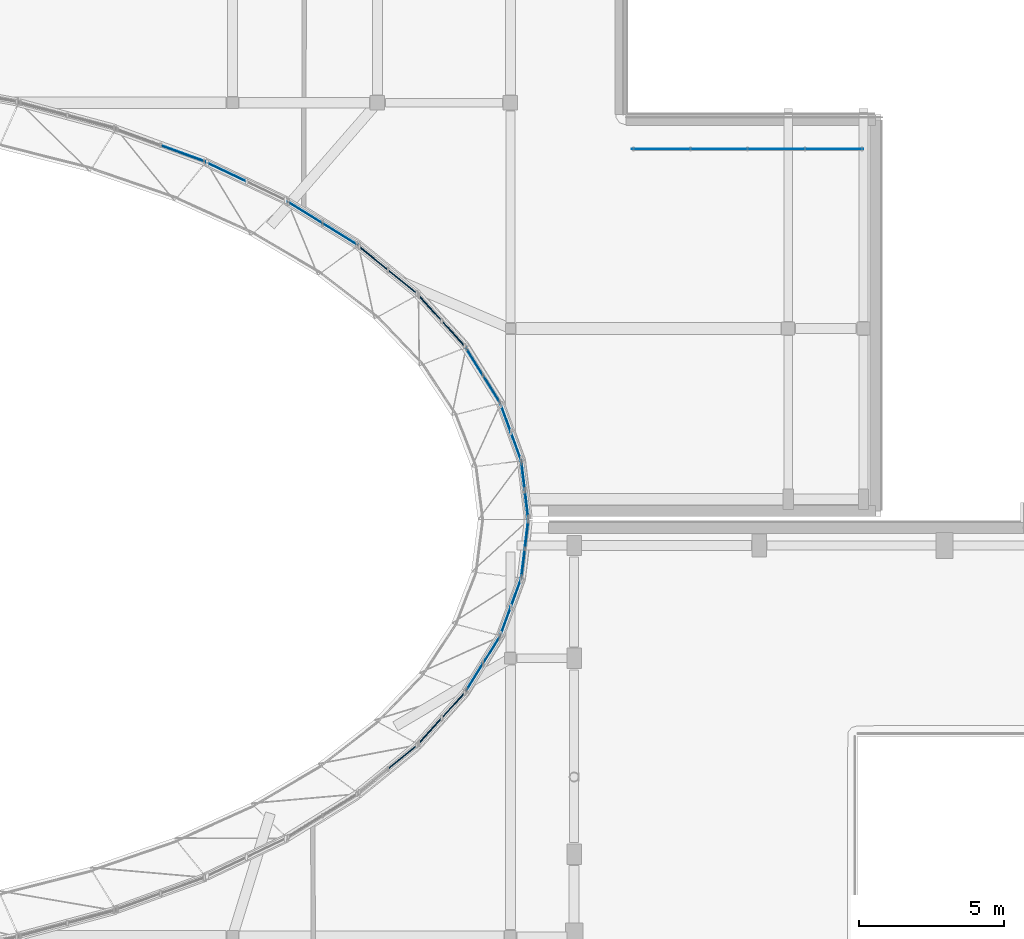
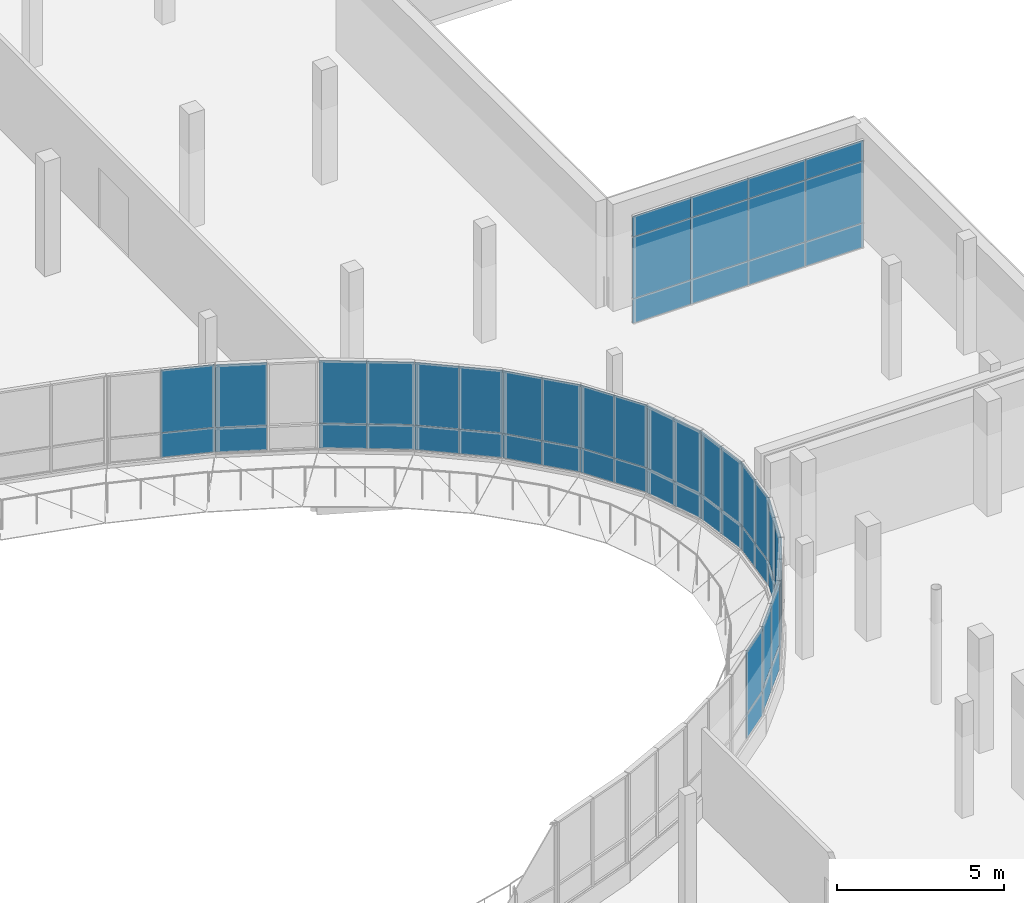
# One storey, part 36 of 84: 58 plates, 14 elements without a shape of their own.
"""IFC4 building model written with IfcOpenShell, lengths in metres."""

from ifc_helpers import new_model, si_unit, direction, frame, origin, origin_2d, place, context, subcontext, project, spatial, rectangle, extrude, material, layer, layer_set, type_object, element, aggregate, save


model = new_model("IFC4")

# Units and contexts
model_context = context("Model", 3, precision=1e-05, world=origin(), true_north=direction((0.0, 1.0)))
body_context = subcontext(model_context, "Body", "Model", "MODEL_VIEW")
ifc_project = project(units=[si_unit("LENGTHUNIT", "METRE"), si_unit("AREAUNIT", "SQUARE_METRE"), si_unit("VOLUMEUNIT", "CUBIC_METRE"), si_unit("PLANEANGLEUNIT", "RADIAN"), si_unit("MASSUNIT", "GRAM", prefix="KILO")], contexts=[model_context])

# Site, building, storey
site_placement = place(None, origin())
site = spatial("IfcSite", under=ifc_project, at=site_placement, CompositionType="ELEMENT")
building_placement = place(site_placement, origin())
building = spatial("IfcBuilding", under=site, at=building_placement, Name="Mzevani Central Library", CompositionType="ELEMENT")
storey_placement = place(building_placement, frame((0.0, 0.0, 5.39990234375)))
storey = spatial("IfcBuildingStorey", under=building, at=storey_placement, Name="L01", CompositionType="ELEMENT", Elevation=5.39990234375)

# Curtain wall, plates
ifc_material_1 = material(Name="Thermally broken aluminium and Low-E triple glazing", Category="aluminium")
curtain_wall_type_1 = type_object("IfcCurtainWallType", Name="Reading Hall Northlight Curtain Wall", PredefinedType="NOTDEFINED", material=ifc_material_1)
curtain_wall_1_placement = place(storey_placement, origin())
curtain_wall_1 = element("IfcCurtainWall", 1, at=curtain_wall_1_placement, inside=storey, type_object=curtain_wall_type_1, Name="L01 Elliptical Court Curtain Wall 1", PredefinedType="NOTDEFINED")
ifc_material_2 = material(Name="Thermally broken aluminium AW-6060", Category="aluminium")
ifc_layer_1 = layer(ifc_material_2, 0.0419921875, Name="CW Insulated Spandrel Panel 42")
ifc_layer_set_1 = layer_set([ifc_layer_1], Name="Thermally broken aluminium AW-6060")
plate_type_1 = type_object("IfcPlateType", Name="CW Insulated Spandrel Panel 42", PredefinedType="CURTAIN_PANEL", material=ifc_layer_set_1)
plate_1_placement = place(storey_placement, frame((112.55908203125, 76.5107421875, 0.72021484375), z_axis=(0.0, 0.0, 1.0), x_axis=(-0.119921982658, 0.992783318794, 0.0)))
plate_1 = element("IfcPlate", 2, at=plate_1_placement, type_object=plate_type_1, Name="L01 Elliptical Court Curtain Wall 1 Spandrel Panel 1", PredefinedType="CURTAIN_PANEL", context=body_context, shape_type="SweptSolid", body=[
    extrude(rectangle(XDim=1.01318359375, YDim=0.0419921875, at=origin_2d()), origin(), (0.0, 0.0, 1.0), 0.89990234375),
])
plate_2_placement = place(storey_placement, frame((112.437744140625, 77.5166015625, 0.72021484375), z_axis=(0.0, 0.0, 1.0), x_axis=(-0.119921982658, 0.992783318794, 0.0)))
plate_2 = element("IfcPlate", 3, at=plate_2_placement, type_object=plate_type_1, Name="L01 Elliptical Court Curtain Wall 1 Spandrel Panel 3", PredefinedType="CURTAIN_PANEL", context=body_context, shape_type="SweptSolid", body=[
    extrude(rectangle(XDim=1.01318359375, YDim=0.0419921875, at=origin_2d()), origin(), (0.0, 0.0, 1.0), 0.89990234375),
])

curtain_wall_type_2 = type_object("IfcCurtainWallType", Name="Elliptical Court Unitised Curtain Wall", PredefinedType="NOTDEFINED", material=ifc_material_1)
curtain_wall_2_placement = place(storey_placement, origin())
curtain_wall_2 = element("IfcCurtainWall", 4, at=curtain_wall_2_placement, inside=storey, type_object=curtain_wall_type_2, Name="L01 Elliptical Court Curtain Wall 2", PredefinedType="NOTDEFINED")
plate_3_placement = place(storey_placement, frame((112.194580078125, 78.529541015625, 0.72021484375), z_axis=(0.0, 0.0, 1.0), x_axis=(-0.344166104443, 0.938908777546, 0.0)))
plate_3 = element("IfcPlate", 5, at=plate_3_placement, type_object=plate_type_1, Name="L01 Elliptical Court Curtain Wall 2 Spandrel Panel 1", PredefinedType="CURTAIN_PANEL", context=body_context, shape_type="SweptSolid", body=[
    extrude(rectangle(XDim=1.052978515625, YDim=0.0419921875, at=origin_2d()), origin(), (0.0, 0.0, 1.0), 0.89990234375),
])
plate_4_placement = place(storey_placement, frame((111.832275390625, 79.518310546875, 0.72021484375), z_axis=(0.0, 0.0, 1.0), x_axis=(-0.344166104443, 0.938908777546, 0.0)))
plate_4 = element("IfcPlate", 6, at=plate_4_placement, type_object=plate_type_1, Name="L01 Elliptical Court Curtain Wall 2 Spandrel Panel 3", PredefinedType="CURTAIN_PANEL", context=body_context, shape_type="SweptSolid", body=[
    extrude(rectangle(XDim=1.052978515625, YDim=0.0419921875, at=origin_2d()), origin(), (0.0, 0.0, 1.0), 0.89990234375),
])

curtain_wall_3_placement = place(storey_placement, origin())
curtain_wall_3 = element("IfcCurtainWall", 7, at=curtain_wall_3_placement, inside=storey, type_object=curtain_wall_type_2, Name="L01 Elliptical Court Curtain Wall 3", PredefinedType="NOTDEFINED")
plate_5_placement = place(storey_placement, frame((111.35009765625, 80.506103515625, 0.72021484375), z_axis=(0.0, 0.0, 1.0), x_axis=(-0.530342513418, 0.847783473808, 0.0)))
plate_5 = element("IfcPlate", 8, at=plate_5_placement, type_object=plate_type_1, Name="L01 Elliptical Court Curtain Wall 3 Spandrel Panel 1", PredefinedType="CURTAIN_PANEL", context=body_context, shape_type="SweptSolid", body=[
    extrude(rectangle(XDim=1.1259765625, YDim=0.0419921875, at=origin_2d()), origin(), (0.0, 0.0, 1.0), 0.89990234375),
])
plate_6_placement = place(storey_placement, frame((110.7529296875, 81.460693359375, 0.72021484375), z_axis=(0.0, 0.0, 1.0), x_axis=(-0.530342513418, 0.847783473808, 0.0)))
plate_6 = element("IfcPlate", 9, at=plate_6_placement, type_object=plate_type_1, Name="L01 Elliptical Court Curtain Wall 3 Spandrel Panel 3", PredefinedType="CURTAIN_PANEL", context=body_context, shape_type="SweptSolid", body=[
    extrude(rectangle(XDim=1.1259765625, YDim=0.0419921875, at=origin_2d()), origin(), (0.0, 0.0, 1.0), 0.89990234375),
])

curtain_wall_4_placement = place(storey_placement, origin())
curtain_wall_4 = element("IfcCurtainWall", 10, at=curtain_wall_4_placement, inside=storey, type_object=curtain_wall_type_1, Name="L01 Elliptical Court Curtain Wall 4", PredefinedType="NOTDEFINED")
plate_7_placement = place(storey_placement, frame((110.0400390625, 82.406982421875, 0.72021484375), z_axis=(0.0, 0.0, 1.0), x_axis=(-0.672532156972, 0.74006790083, 0.0)))
plate_7 = element("IfcPlate", 11, at=plate_7_placement, type_object=plate_type_1, Name="L01 Elliptical Court Curtain Wall 4 Spandrel Panel 1", PredefinedType="CURTAIN_PANEL", context=body_context, shape_type="SweptSolid", body=[
    extrude(rectangle(XDim=1.2216796875, YDim=0.0419921875, at=origin_2d()), origin(), (0.0, 0.0, 1.0), 0.89990234375),
])
plate_8_placement = place(storey_placement, frame((109.21826171875, 83.31103515625, 0.72021484375), z_axis=(0.0, 0.0, 1.0), x_axis=(-0.672532156972, 0.74006790083, 0.0)))
plate_8 = element("IfcPlate", 12, at=plate_8_placement, type_object=plate_type_1, Name="L01 Elliptical Court Curtain Wall 4 Spandrel Panel 3", PredefinedType="CURTAIN_PANEL", context=body_context, shape_type="SweptSolid", body=[
    extrude(rectangle(XDim=1.2216796875, YDim=0.0419921875, at=origin_2d()), origin(), (0.0, 0.0, 1.0), 0.89990234375),
])

curtain_wall_5_placement = place(storey_placement, origin())
curtain_wall_5 = element("IfcCurtainWall", 13, at=curtain_wall_5_placement, inside=storey, type_object=curtain_wall_type_2, Name="L01 Elliptical Court Curtain Wall 5", PredefinedType="NOTDEFINED")
plate_9_placement = place(storey_placement, frame((108.285888671875, 84.2001953125, 0.72021484375), z_axis=(0.0, 0.0, 1.0), x_axis=(-0.776231297509, 0.630448231632, 0.0)))
plate_9 = element("IfcPlate", 14, at=plate_9_placement, type_object=plate_type_1, Name="L01 Elliptical Court Curtain Wall 5 Spandrel Panel 1", PredefinedType="CURTAIN_PANEL", context=body_context, shape_type="SweptSolid", body=[
    extrude(rectangle(XDim=1.329345703125, YDim=0.0419921875, at=origin_2d()), origin(), (0.0, 0.0, 1.0), 0.89990234375),
])
plate_10_placement = place(storey_placement, frame((107.254150390625, 85.038330078125, 0.72021484375), z_axis=(0.0, 0.0, 1.0), x_axis=(-0.776231297509, 0.630448231632, 0.0)))
plate_10 = element("IfcPlate", 15, at=plate_10_placement, type_object=plate_type_1, Name="L01 Elliptical Court Curtain Wall 5 Spandrel Panel 3", PredefinedType="CURTAIN_PANEL", context=body_context, shape_type="SweptSolid", body=[
    extrude(rectangle(XDim=1.329345703125, YDim=0.0419921875, at=origin_2d()), origin(), (0.0, 0.0, 1.0), 0.89990234375),
])

curtain_wall_6_placement = place(storey_placement, origin())
curtain_wall_6 = element("IfcCurtainWall", 16, at=curtain_wall_6_placement, inside=storey, type_object=curtain_wall_type_2, Name="L01 Elliptical Court Curtain Wall 6", PredefinedType="NOTDEFINED")
plate_11_placement = place(storey_placement, frame((106.117431640625, 85.85595703125, 0.72021484375), z_axis=(0.0, 0.0, 1.0), x_axis=(-0.850357735448, 0.526205018755, 0.0)))
plate_11 = element("IfcPlate", 17, at=plate_11_placement, type_object=plate_type_1, Name="L01 Elliptical Court Curtain Wall 6 Spandrel Panel 1", PredefinedType="CURTAIN_PANEL", context=body_context, shape_type="SweptSolid", body=[
    extrude(rectangle(XDim=1.440185546875, YDim=0.0419921875, at=origin_2d()), origin(), (0.0, 0.0, 1.0), 0.89990234375),
])
plate_12_placement = place(storey_placement, frame((104.892822265625, 86.61376953125, 0.72021484375), z_axis=(0.0, 0.0, 1.0), x_axis=(-0.850357735448, 0.526205018755, 0.0)))
plate_12 = element("IfcPlate", 18, at=plate_12_placement, type_object=plate_type_1, Name="L01 Elliptical Court Curtain Wall 6 Spandrel Panel 3", PredefinedType="CURTAIN_PANEL", context=body_context, shape_type="SweptSolid", body=[
    extrude(rectangle(XDim=1.440185546875, YDim=0.0419921875, at=origin_2d()), origin(), (0.0, 0.0, 1.0), 0.89990234375),
])

# Curtain wall, plate
curtain_wall_7_placement = place(storey_placement, origin())
curtain_wall_7 = element("IfcCurtainWall", 19, at=curtain_wall_7_placement, inside=storey, type_object=curtain_wall_type_1, Name="L01 Elliptical Court Curtain Wall 7", PredefinedType="NOTDEFINED")
plate_13_placement = place(storey_placement, frame((102.174072265625, 88.010986328125, 0.72021484375), z_axis=(0.0, 0.0, 1.0), x_axis=(-0.902948631939, 0.429748493982, 0.0)))
plate_13 = element("IfcPlate", 20, at=plate_13_placement, type_object=plate_type_1, Name="L01 Elliptical Court Curtain Wall 7 Spandrel Panel 3", PredefinedType="CURTAIN_PANEL", context=body_context, shape_type="SweptSolid", body=[
    extrude(rectangle(XDim=1.546630859375, YDim=0.0419921875, at=origin_2d()), origin(), (0.0, 0.0, 1.0), 0.89990234375),
])

curtain_wall_8_placement = place(storey_placement, origin())
curtain_wall_8 = element("IfcCurtainWall", 21, at=curtain_wall_8_placement, inside=storey, type_object=curtain_wall_type_2, Name="L01 Elliptical Court Curtain Wall 8", PredefinedType="NOTDEFINED")
plate_14_placement = place(storey_placement, frame((100.6875, 88.64599609375, 0.72021484375), z_axis=(0.0, 0.0, 1.0), x_axis=(-0.940105611205, 0.340883322826, 0.0)))
plate_14 = element("IfcPlate", 22, at=plate_14_placement, type_object=plate_type_1, Name="L01 Elliptical Court Curtain Wall 8 Spandrel Panel 1", PredefinedType="CURTAIN_PANEL", context=body_context, shape_type="SweptSolid", body=[
    extrude(rectangle(XDim=1.642822265625, YDim=0.0419921875, at=origin_2d()), origin(), (0.0, 0.0, 1.0), 0.89990234375),
])

curtain_wall_9_placement = place(storey_placement, origin())
curtain_wall_9 = element("IfcCurtainWall", 23, at=curtain_wall_9_placement, inside=storey, type_object=curtain_wall_type_2, Name="L01 Elliptical Court Curtain Wall 44", PredefinedType="NOTDEFINED")
plate_15_placement = place(storey_placement, frame((108.285888671875, 67.7998046875, 0.72021484375), z_axis=(0.0, 0.0, 1.0), x_axis=(0.776231297509, 0.630448231632, 0.0)))
plate_15 = element("IfcPlate", 24, at=plate_15_placement, type_object=plate_type_1, Name="L01 Elliptical Court Curtain Wall 44 Spandrel Panel 3", PredefinedType="CURTAIN_PANEL", context=body_context, shape_type="SweptSolid", body=[
    extrude(rectangle(XDim=1.329345703125, YDim=0.0419921875, at=origin_2d()), origin(), (0.0, 0.0, 1.0), 0.89990234375),
])

# Curtain wall, plates
curtain_wall_10_placement = place(storey_placement, origin())
curtain_wall_10 = element("IfcCurtainWall", 25, at=curtain_wall_10_placement, inside=storey, type_object=curtain_wall_type_2, Name="L01 Elliptical Court Curtain Wall 45", PredefinedType="NOTDEFINED")
plate_16_placement = place(storey_placement, frame((109.21826171875, 68.68896484375, 0.72021484375), z_axis=(0.0, 0.0, 1.0), x_axis=(0.672532156972, 0.74006790083, 0.0)))
plate_16 = element("IfcPlate", 26, at=plate_16_placement, type_object=plate_type_1, Name="L01 Elliptical Court Curtain Wall 45 Spandrel Panel 1", PredefinedType="CURTAIN_PANEL", context=body_context, shape_type="SweptSolid", body=[
    extrude(rectangle(XDim=1.2216796875, YDim=0.0419921875, at=origin_2d()), origin(), (0.0, 0.0, 1.0), 0.89990234375),
])
plate_17_placement = place(storey_placement, frame((110.0400390625, 69.593017578125, 0.72021484375), z_axis=(0.0, 0.0, 1.0), x_axis=(0.672532156972, 0.74006790083, 0.0)))
plate_17 = element("IfcPlate", 27, at=plate_17_placement, type_object=plate_type_1, Name="L01 Elliptical Court Curtain Wall 45 Spandrel Panel 3", PredefinedType="CURTAIN_PANEL", context=body_context, shape_type="SweptSolid", body=[
    extrude(rectangle(XDim=1.2216796875, YDim=0.0419921875, at=origin_2d()), origin(), (0.0, 0.0, 1.0), 0.89990234375),
])

curtain_wall_11_placement = place(storey_placement, origin())
curtain_wall_11 = element("IfcCurtainWall", 28, at=curtain_wall_11_placement, inside=storey, type_object=curtain_wall_type_1, Name="L01 Elliptical Court Curtain Wall 46", PredefinedType="NOTDEFINED")
plate_18_placement = place(storey_placement, frame((110.7529296875, 70.539306640625, 0.72021484375), z_axis=(0.0, 0.0, 1.0), x_axis=(0.530342513418, 0.847783473808, 0.0)))
plate_18 = element("IfcPlate", 29, at=plate_18_placement, type_object=plate_type_1, Name="L01 Elliptical Court Curtain Wall 46 Spandrel Panel 1", PredefinedType="CURTAIN_PANEL", context=body_context, shape_type="SweptSolid", body=[
    extrude(rectangle(XDim=1.1259765625, YDim=0.0419921875, at=origin_2d()), origin(), (0.0, 0.0, 1.0), 0.89990234375),
])
plate_19_placement = place(storey_placement, frame((111.35009765625, 71.493896484375, 0.72021484375), z_axis=(0.0, 0.0, 1.0), x_axis=(0.530342513418, 0.847783473808, 0.0)))
plate_19 = element("IfcPlate", 30, at=plate_19_placement, type_object=plate_type_1, Name="L01 Elliptical Court Curtain Wall 46 Spandrel Panel 3", PredefinedType="CURTAIN_PANEL", context=body_context, shape_type="SweptSolid", body=[
    extrude(rectangle(XDim=1.1259765625, YDim=0.0419921875, at=origin_2d()), origin(), (0.0, 0.0, 1.0), 0.89990234375),
])

curtain_wall_12_placement = place(storey_placement, origin())
curtain_wall_12 = element("IfcCurtainWall", 31, at=curtain_wall_12_placement, inside=storey, type_object=curtain_wall_type_2, Name="L01 Elliptical Court Curtain Wall 47", PredefinedType="NOTDEFINED")
plate_20_placement = place(storey_placement, frame((111.832275390625, 72.481689453125, 0.72021484375), z_axis=(0.0, 0.0, 1.0), x_axis=(0.344166104443, 0.938908777546, 0.0)))
plate_20 = element("IfcPlate", 32, at=plate_20_placement, type_object=plate_type_1, Name="L01 Elliptical Court Curtain Wall 47 Spandrel Panel 1", PredefinedType="CURTAIN_PANEL", context=body_context, shape_type="SweptSolid", body=[
    extrude(rectangle(XDim=1.052978515625, YDim=0.0419921875, at=origin_2d()), origin(), (0.0, 0.0, 1.0), 0.89990234375),
])
plate_21_placement = place(storey_placement, frame((112.194580078125, 73.470458984375, 0.72021484375), z_axis=(0.0, 0.0, 1.0), x_axis=(0.344166104443, 0.938908777546, 0.0)))
plate_21 = element("IfcPlate", 33, at=plate_21_placement, type_object=plate_type_1, Name="L01 Elliptical Court Curtain Wall 47 Spandrel Panel 3", PredefinedType="CURTAIN_PANEL", context=body_context, shape_type="SweptSolid", body=[
    extrude(rectangle(XDim=1.052978515625, YDim=0.0419921875, at=origin_2d()), origin(), (0.0, 0.0, 1.0), 0.89990234375),
])

curtain_wall_13_placement = place(storey_placement, origin())
curtain_wall_13 = element("IfcCurtainWall", 34, at=curtain_wall_13_placement, inside=storey, type_object=curtain_wall_type_2, Name="L01 Elliptical Court Curtain Wall 48", PredefinedType="NOTDEFINED")
plate_22_placement = place(storey_placement, frame((112.437744140625, 74.4833984375, 0.72021484375), z_axis=(0.0, 0.0, 1.0), x_axis=(0.119921982658, 0.992783318794, 0.0)))
plate_22 = element("IfcPlate", 35, at=plate_22_placement, type_object=plate_type_1, Name="L01 Elliptical Court Curtain Wall 48 Spandrel Panel 1", PredefinedType="CURTAIN_PANEL", context=body_context, shape_type="SweptSolid", body=[
    extrude(rectangle(XDim=1.01318359375, YDim=0.0419921875, at=origin_2d()), origin(), (0.0, 0.0, 1.0), 0.89990234375),
])
plate_23_placement = place(storey_placement, frame((112.55908203125, 75.4892578125, 0.72021484375), z_axis=(0.0, 0.0, 1.0), x_axis=(0.119921982658, 0.992783318794, 0.0)))
plate_23 = element("IfcPlate", 36, at=plate_23_placement, type_object=plate_type_1, Name="L01 Elliptical Court Curtain Wall 48 Spandrel Panel 3", PredefinedType="CURTAIN_PANEL", context=body_context, shape_type="SweptSolid", body=[
    extrude(rectangle(XDim=1.01318359375, YDim=0.0419921875, at=origin_2d()), origin(), (0.0, 0.0, 1.0), 0.89990234375),
])

curtain_wall_type_3 = type_object("IfcCurtainWallType", Name="Interior Atrium Acoustic Glazed Screen", PredefinedType="NOTDEFINED", material=ifc_material_1)
curtain_wall_14_placement = place(storey_placement, origin())
curtain_wall_14 = element("IfcCurtainWall", 37, at=curtain_wall_14_placement, inside=storey, type_object=curtain_wall_type_3, Name="L01 Atrium Acoustic Overlook Screen 5", PredefinedType="NOTDEFINED")
ifc_material_3 = material(Name="Low-E triple glazing glass", Category="glass")
ifc_layer_2 = layer(ifc_material_3, 0.02197265625, Name="CW Interior Atrium Glazed Panel 22")
ifc_layer_set_2 = layer_set([ifc_layer_2], Name="Low-E triple glazing glass")
plate_type_2 = type_object("IfcPlateType", Name="CW Interior Atrium Glazed Panel 22", PredefinedType="CURTAIN_PANEL", material=ifc_layer_set_2)
plate_24_placement = place(storey_placement, frame((117.199951171875, 88.800048828125, 0.000244140625), z_axis=(0.0, 0.0, 1.0), x_axis=(1.0, 0.0, 0.0)))
plate_24 = element("IfcPlate", 38, at=plate_24_placement, type_object=plate_type_2, Name="L01 Atrium Acoustic Overlook Screen 5 Vision Panel 1", PredefinedType="CURTAIN_PANEL", context=body_context, shape_type="SweptSolid", body=[
    extrude(rectangle(XDim=2.0, YDim=0.02197265625, at=origin_2d()), origin(), (0.0, 0.0, 1.0), 0.89990234375),
])
plate_25_placement = place(storey_placement, frame((117.199951171875, 88.800048828125, 0.900146484375), z_axis=(0.0, 0.0, 1.0), x_axis=(1.0, 0.0, 0.0)))
plate_25 = element("IfcPlate", 39, at=plate_25_placement, type_object=plate_type_2, Name="L01 Atrium Acoustic Overlook Screen 5 Vision Panel 2", PredefinedType="CURTAIN_PANEL", context=body_context, shape_type="SweptSolid", body=[
    extrude(rectangle(XDim=2.0, YDim=0.02197265625, at=origin_2d()), origin(), (0.0, 0.0, 1.0), 2.27001953125),
])
plate_26_placement = place(storey_placement, frame((117.199951171875, 88.800048828125, 3.170166015625), z_axis=(0.0, 0.0, 1.0), x_axis=(1.0, 0.0, 0.0)))
plate_26 = element("IfcPlate", 40, at=plate_26_placement, type_object=plate_type_2, Name="L01 Atrium Acoustic Overlook Screen 5 Vision Panel 3", PredefinedType="CURTAIN_PANEL", context=body_context, shape_type="SweptSolid", body=[
    extrude(rectangle(XDim=2.0, YDim=0.02197265625, at=origin_2d()), origin(), (0.0, 0.0, 1.0), 0.75),
])
plate_27_placement = place(storey_placement, frame((119.199951171875, 88.800048828125, 0.000244140625), z_axis=(0.0, 0.0, 1.0), x_axis=(1.0, 0.0, 0.0)))
plate_27 = element("IfcPlate", 41, at=plate_27_placement, type_object=plate_type_2, Name="L01 Atrium Acoustic Overlook Screen 5 Vision Panel 4", PredefinedType="CURTAIN_PANEL", context=body_context, shape_type="SweptSolid", body=[
    extrude(rectangle(XDim=2.0, YDim=0.02197265625, at=origin_2d()), origin(), (0.0, 0.0, 1.0), 0.89990234375),
])
plate_28_placement = place(storey_placement, frame((119.199951171875, 88.800048828125, 0.900146484375), z_axis=(0.0, 0.0, 1.0), x_axis=(1.0, 0.0, 0.0)))
plate_28 = element("IfcPlate", 42, at=plate_28_placement, type_object=plate_type_2, Name="L01 Atrium Acoustic Overlook Screen 5 Vision Panel 5", PredefinedType="CURTAIN_PANEL", context=body_context, shape_type="SweptSolid", body=[
    extrude(rectangle(XDim=2.0, YDim=0.02197265625, at=origin_2d()), origin(), (0.0, 0.0, 1.0), 2.27001953125),
])
plate_29_placement = place(storey_placement, frame((119.199951171875, 88.800048828125, 3.170166015625), z_axis=(0.0, 0.0, 1.0), x_axis=(1.0, 0.0, 0.0)))
plate_29 = element("IfcPlate", 43, at=plate_29_placement, type_object=plate_type_2, Name="L01 Atrium Acoustic Overlook Screen 5 Vision Panel 6", PredefinedType="CURTAIN_PANEL", context=body_context, shape_type="SweptSolid", body=[
    extrude(rectangle(XDim=2.0, YDim=0.02197265625, at=origin_2d()), origin(), (0.0, 0.0, 1.0), 0.75),
])
plate_30_placement = place(storey_placement, frame((121.199951171875, 88.800048828125, 0.000244140625), z_axis=(0.0, 0.0, 1.0), x_axis=(1.0, 0.0, 0.0)))
plate_30 = element("IfcPlate", 44, at=plate_30_placement, type_object=plate_type_2, Name="L01 Atrium Acoustic Overlook Screen 5 Vision Panel 7", PredefinedType="CURTAIN_PANEL", context=body_context, shape_type="SweptSolid", body=[
    extrude(rectangle(XDim=2.0, YDim=0.02197265625, at=origin_2d()), origin(), (0.0, 0.0, 1.0), 0.89990234375),
])
plate_31_placement = place(storey_placement, frame((121.199951171875, 88.800048828125, 0.900146484375), z_axis=(0.0, 0.0, 1.0), x_axis=(1.0, 0.0, 0.0)))
plate_31 = element("IfcPlate", 45, at=plate_31_placement, type_object=plate_type_2, Name="L01 Atrium Acoustic Overlook Screen 5 Vision Panel 8", PredefinedType="CURTAIN_PANEL", context=body_context, shape_type="SweptSolid", body=[
    extrude(rectangle(XDim=2.0, YDim=0.02197265625, at=origin_2d()), origin(), (0.0, 0.0, 1.0), 2.27001953125),
])
plate_32_placement = place(storey_placement, frame((121.199951171875, 88.800048828125, 3.170166015625), z_axis=(0.0, 0.0, 1.0), x_axis=(1.0, 0.0, 0.0)))
plate_32 = element("IfcPlate", 46, at=plate_32_placement, type_object=plate_type_2, Name="L01 Atrium Acoustic Overlook Screen 5 Vision Panel 9", PredefinedType="CURTAIN_PANEL", context=body_context, shape_type="SweptSolid", body=[
    extrude(rectangle(XDim=2.0, YDim=0.02197265625, at=origin_2d()), origin(), (0.0, 0.0, 1.0), 0.75),
])
plate_33_placement = place(storey_placement, frame((123.199951171875, 88.800048828125, 0.000244140625), z_axis=(0.0, 0.0, 1.0), x_axis=(1.0, 0.0, 0.0)))
plate_33 = element("IfcPlate", 47, at=plate_33_placement, type_object=plate_type_2, Name="L01 Atrium Acoustic Overlook Screen 5 Vision Panel 10", PredefinedType="CURTAIN_PANEL", context=body_context, shape_type="SweptSolid", body=[
    extrude(rectangle(XDim=2.0, YDim=0.02197265625, at=origin_2d()), origin(), (0.0, 0.0, 1.0), 0.89990234375),
])
plate_34_placement = place(storey_placement, frame((123.199951171875, 88.800048828125, 0.900146484375), z_axis=(0.0, 0.0, 1.0), x_axis=(1.0, 0.0, 0.0)))
plate_34 = element("IfcPlate", 48, at=plate_34_placement, type_object=plate_type_2, Name="L01 Atrium Acoustic Overlook Screen 5 Vision Panel 11", PredefinedType="CURTAIN_PANEL", context=body_context, shape_type="SweptSolid", body=[
    extrude(rectangle(XDim=2.0, YDim=0.02197265625, at=origin_2d()), origin(), (0.0, 0.0, 1.0), 2.27001953125),
])
plate_35_placement = place(storey_placement, frame((123.199951171875, 88.800048828125, 3.170166015625), z_axis=(0.0, 0.0, 1.0), x_axis=(1.0, 0.0, 0.0)))
plate_35 = element("IfcPlate", 49, at=plate_35_placement, type_object=plate_type_2, Name="L01 Atrium Acoustic Overlook Screen 5 Vision Panel 12", PredefinedType="CURTAIN_PANEL", context=body_context, shape_type="SweptSolid", body=[
    extrude(rectangle(XDim=2.0, YDim=0.02197265625, at=origin_2d()), origin(), (0.0, 0.0, 1.0), 0.75),
])
aggregate(curtain_wall_14, [plate_24, plate_25, plate_26, plate_27, plate_28, plate_29, plate_30, plate_31, plate_32, plate_33, plate_34, plate_35])

# Plate
ifc_layer_3 = layer(ifc_material_3, 0.028076171875, Name="CW Triple Glazed Vision Panel 28")
ifc_layer_set_3 = layer_set([ifc_layer_3], Name="Low-E triple glazing glass")
plate_type_3 = type_object("IfcPlateType", Name="CW Triple Glazed Vision Panel 28", PredefinedType="CURTAIN_PANEL", material=ifc_layer_set_3)
plate_36_placement = place(storey_placement, frame((112.55908203125, 76.5107421875, 1.6201171875), z_axis=(0.0, 0.0, 1.0), x_axis=(-0.119921982658, 0.992783318794, 0.0)))
plate_36 = element("IfcPlate", 50, at=plate_36_placement, type_object=plate_type_3, Name="L01 Elliptical Court Curtain Wall 1 Vision Panel 2", PredefinedType="CURTAIN_PANEL", context=body_context, shape_type="SweptSolid", body=[
    extrude(rectangle(XDim=1.01318359375, YDim=0.028076171875, at=origin_2d()), origin(), (0.0, 0.0, 1.0), 2.300048828125),
])

plate_37_placement = place(storey_placement, frame((112.437744140625, 77.5166015625, 1.6201171875), z_axis=(0.0, 0.0, 1.0), x_axis=(-0.119921982658, 0.992783318794, 0.0)))
plate_37 = element("IfcPlate", 51, at=plate_37_placement, type_object=plate_type_3, Name="L01 Elliptical Court Curtain Wall 1 Vision Panel 4", PredefinedType="CURTAIN_PANEL", context=body_context, shape_type="SweptSolid", body=[
    extrude(rectangle(XDim=1.01318359375, YDim=0.028076171875, at=origin_2d()), origin(), (0.0, 0.0, 1.0), 2.300048828125),
])

aggregate(curtain_wall_1, [plate_1, plate_36, plate_2, plate_37])

plate_38_placement = place(storey_placement, frame((112.194580078125, 78.529541015625, 1.6201171875), z_axis=(0.0, 0.0, 1.0), x_axis=(-0.344166104443, 0.938908777546, 0.0)))
plate_38 = element("IfcPlate", 52, at=plate_38_placement, type_object=plate_type_3, Name="L01 Elliptical Court Curtain Wall 2 Vision Panel 2", PredefinedType="CURTAIN_PANEL", context=body_context, shape_type="SweptSolid", body=[
    extrude(rectangle(XDim=1.052978515625, YDim=0.028076171875, at=origin_2d()), origin(), (0.0, 0.0, 1.0), 2.300048828125),
])

plate_39_placement = place(storey_placement, frame((111.832275390625, 79.518310546875, 1.6201171875), z_axis=(0.0, 0.0, 1.0), x_axis=(-0.344166104443, 0.938908777546, 0.0)))
plate_39 = element("IfcPlate", 53, at=plate_39_placement, type_object=plate_type_3, Name="L01 Elliptical Court Curtain Wall 2 Vision Panel 4", PredefinedType="CURTAIN_PANEL", context=body_context, shape_type="SweptSolid", body=[
    extrude(rectangle(XDim=1.052978515625, YDim=0.028076171875, at=origin_2d()), origin(), (0.0, 0.0, 1.0), 2.300048828125),
])

aggregate(curtain_wall_2, [plate_3, plate_38, plate_4, plate_39])

plate_40_placement = place(storey_placement, frame((111.35009765625, 80.506103515625, 1.6201171875), z_axis=(0.0, 0.0, 1.0), x_axis=(-0.530342513418, 0.847783473808, 0.0)))
plate_40 = element("IfcPlate", 54, at=plate_40_placement, type_object=plate_type_3, Name="L01 Elliptical Court Curtain Wall 3 Vision Panel 2", PredefinedType="CURTAIN_PANEL", context=body_context, shape_type="SweptSolid", body=[
    extrude(rectangle(XDim=1.1259765625, YDim=0.028076171875, at=origin_2d()), origin(), (0.0, 0.0, 1.0), 2.300048828125),
])

plate_41_placement = place(storey_placement, frame((110.7529296875, 81.460693359375, 1.6201171875), z_axis=(0.0, 0.0, 1.0), x_axis=(-0.530342513418, 0.847783473808, 0.0)))
plate_41 = element("IfcPlate", 55, at=plate_41_placement, type_object=plate_type_3, Name="L01 Elliptical Court Curtain Wall 3 Vision Panel 4", PredefinedType="CURTAIN_PANEL", context=body_context, shape_type="SweptSolid", body=[
    extrude(rectangle(XDim=1.1259765625, YDim=0.028076171875, at=origin_2d()), origin(), (0.0, 0.0, 1.0), 2.300048828125),
])

aggregate(curtain_wall_3, [plate_5, plate_40, plate_6, plate_41])

plate_42_placement = place(storey_placement, frame((110.0400390625, 82.406982421875, 1.6201171875), z_axis=(0.0, 0.0, 1.0), x_axis=(-0.672532156972, 0.74006790083, 0.0)))
plate_42 = element("IfcPlate", 56, at=plate_42_placement, type_object=plate_type_3, Name="L01 Elliptical Court Curtain Wall 4 Vision Panel 2", PredefinedType="CURTAIN_PANEL", context=body_context, shape_type="SweptSolid", body=[
    extrude(rectangle(XDim=1.2216796875, YDim=0.028076171875, at=origin_2d()), origin(), (0.0, 0.0, 1.0), 2.300048828125),
])

plate_43_placement = place(storey_placement, frame((109.21826171875, 83.31103515625, 1.6201171875), z_axis=(0.0, 0.0, 1.0), x_axis=(-0.672532156972, 0.74006790083, 0.0)))
plate_43 = element("IfcPlate", 57, at=plate_43_placement, type_object=plate_type_3, Name="L01 Elliptical Court Curtain Wall 4 Vision Panel 4", PredefinedType="CURTAIN_PANEL", context=body_context, shape_type="SweptSolid", body=[
    extrude(rectangle(XDim=1.2216796875, YDim=0.028076171875, at=origin_2d()), origin(), (0.0, 0.0, 1.0), 2.300048828125),
])

aggregate(curtain_wall_4, [plate_7, plate_42, plate_8, plate_43])

plate_44_placement = place(storey_placement, frame((108.285888671875, 84.2001953125, 1.6201171875), z_axis=(0.0, 0.0, 1.0), x_axis=(-0.776231297509, 0.630448231632, 0.0)))
plate_44 = element("IfcPlate", 58, at=plate_44_placement, type_object=plate_type_3, Name="L01 Elliptical Court Curtain Wall 5 Vision Panel 2", PredefinedType="CURTAIN_PANEL", context=body_context, shape_type="SweptSolid", body=[
    extrude(rectangle(XDim=1.329345703125, YDim=0.028076171875, at=origin_2d()), origin(), (0.0, 0.0, 1.0), 2.300048828125),
])

plate_45_placement = place(storey_placement, frame((107.254150390625, 85.038330078125, 1.6201171875), z_axis=(0.0, 0.0, 1.0), x_axis=(-0.776231297509, 0.630448231632, 0.0)))
plate_45 = element("IfcPlate", 59, at=plate_45_placement, type_object=plate_type_3, Name="L01 Elliptical Court Curtain Wall 5 Vision Panel 4", PredefinedType="CURTAIN_PANEL", context=body_context, shape_type="SweptSolid", body=[
    extrude(rectangle(XDim=1.329345703125, YDim=0.028076171875, at=origin_2d()), origin(), (0.0, 0.0, 1.0), 2.300048828125),
])

aggregate(curtain_wall_5, [plate_9, plate_44, plate_10, plate_45])

plate_46_placement = place(storey_placement, frame((106.117431640625, 85.85595703125, 1.6201171875), z_axis=(0.0, 0.0, 1.0), x_axis=(-0.850357735448, 0.526205018755, 0.0)))
plate_46 = element("IfcPlate", 60, at=plate_46_placement, type_object=plate_type_3, Name="L01 Elliptical Court Curtain Wall 6 Vision Panel 2", PredefinedType="CURTAIN_PANEL", context=body_context, shape_type="SweptSolid", body=[
    extrude(rectangle(XDim=1.440185546875, YDim=0.028076171875, at=origin_2d()), origin(), (0.0, 0.0, 1.0), 2.300048828125),
])

plate_47_placement = place(storey_placement, frame((104.892822265625, 86.61376953125, 1.6201171875), z_axis=(0.0, 0.0, 1.0), x_axis=(-0.850357735448, 0.526205018755, 0.0)))
plate_47 = element("IfcPlate", 61, at=plate_47_placement, type_object=plate_type_3, Name="L01 Elliptical Court Curtain Wall 6 Vision Panel 4", PredefinedType="CURTAIN_PANEL", context=body_context, shape_type="SweptSolid", body=[
    extrude(rectangle(XDim=1.440185546875, YDim=0.028076171875, at=origin_2d()), origin(), (0.0, 0.0, 1.0), 2.300048828125),
])

aggregate(curtain_wall_6, [plate_11, plate_46, plate_12, plate_47])

plate_48_placement = place(storey_placement, frame((102.174072265625, 88.010986328125, 1.6201171875), z_axis=(0.0, 0.0, 1.0), x_axis=(-0.902948631939, 0.429748493982, 0.0)))
plate_48 = element("IfcPlate", 62, at=plate_48_placement, type_object=plate_type_3, Name="L01 Elliptical Court Curtain Wall 7 Vision Panel 4", PredefinedType="CURTAIN_PANEL", context=body_context, shape_type="SweptSolid", body=[
    extrude(rectangle(XDim=1.546630859375, YDim=0.028076171875, at=origin_2d()), origin(), (0.0, 0.0, 1.0), 2.300048828125),
])

aggregate(curtain_wall_7, [plate_13, plate_48])

plate_49_placement = place(storey_placement, frame((100.6875, 88.64599609375, 1.6201171875), z_axis=(0.0, 0.0, 1.0), x_axis=(-0.940105611205, 0.340883322826, 0.0)))
plate_49 = element("IfcPlate", 63, at=plate_49_placement, type_object=plate_type_3, Name="L01 Elliptical Court Curtain Wall 8 Vision Panel 2", PredefinedType="CURTAIN_PANEL", context=body_context, shape_type="SweptSolid", body=[
    extrude(rectangle(XDim=1.642822265625, YDim=0.028076171875, at=origin_2d()), origin(), (0.0, 0.0, 1.0), 2.300048828125),
])

aggregate(curtain_wall_8, [plate_14, plate_49])

plate_50_placement = place(storey_placement, frame((108.285888671875, 67.7998046875, 1.6201171875), z_axis=(0.0, 0.0, 1.0), x_axis=(0.776231297509, 0.630448231632, 0.0)))
plate_50 = element("IfcPlate", 64, at=plate_50_placement, type_object=plate_type_3, Name="L01 Elliptical Court Curtain Wall 44 Vision Panel 4", PredefinedType="CURTAIN_PANEL", context=body_context, shape_type="SweptSolid", body=[
    extrude(rectangle(XDim=1.329345703125, YDim=0.028076171875, at=origin_2d()), origin(), (0.0, 0.0, 1.0), 2.300048828125),
])

aggregate(curtain_wall_9, [plate_15, plate_50])

plate_51_placement = place(storey_placement, frame((109.21826171875, 68.68896484375, 1.6201171875), z_axis=(0.0, 0.0, 1.0), x_axis=(0.672532156972, 0.74006790083, 0.0)))
plate_51 = element("IfcPlate", 65, at=plate_51_placement, type_object=plate_type_3, Name="L01 Elliptical Court Curtain Wall 45 Vision Panel 2", PredefinedType="CURTAIN_PANEL", context=body_context, shape_type="SweptSolid", body=[
    extrude(rectangle(XDim=1.2216796875, YDim=0.028076171875, at=origin_2d()), origin(), (0.0, 0.0, 1.0), 2.300048828125),
])

plate_52_placement = place(storey_placement, frame((110.0400390625, 69.593017578125, 1.6201171875), z_axis=(0.0, 0.0, 1.0), x_axis=(0.672532156972, 0.74006790083, 0.0)))
plate_52 = element("IfcPlate", 66, at=plate_52_placement, type_object=plate_type_3, Name="L01 Elliptical Court Curtain Wall 45 Vision Panel 4", PredefinedType="CURTAIN_PANEL", context=body_context, shape_type="SweptSolid", body=[
    extrude(rectangle(XDim=1.2216796875, YDim=0.028076171875, at=origin_2d()), origin(), (0.0, 0.0, 1.0), 2.300048828125),
])

aggregate(curtain_wall_10, [plate_16, plate_51, plate_17, plate_52])

plate_53_placement = place(storey_placement, frame((110.7529296875, 70.539306640625, 1.6201171875), z_axis=(0.0, 0.0, 1.0), x_axis=(0.530342513418, 0.847783473808, 0.0)))
plate_53 = element("IfcPlate", 67, at=plate_53_placement, type_object=plate_type_3, Name="L01 Elliptical Court Curtain Wall 46 Vision Panel 2", PredefinedType="CURTAIN_PANEL", context=body_context, shape_type="SweptSolid", body=[
    extrude(rectangle(XDim=1.1259765625, YDim=0.028076171875, at=origin_2d()), origin(), (0.0, 0.0, 1.0), 2.300048828125),
])

plate_54_placement = place(storey_placement, frame((111.35009765625, 71.493896484375, 1.6201171875), z_axis=(0.0, 0.0, 1.0), x_axis=(0.530342513418, 0.847783473808, 0.0)))
plate_54 = element("IfcPlate", 68, at=plate_54_placement, type_object=plate_type_3, Name="L01 Elliptical Court Curtain Wall 46 Vision Panel 4", PredefinedType="CURTAIN_PANEL", context=body_context, shape_type="SweptSolid", body=[
    extrude(rectangle(XDim=1.1259765625, YDim=0.028076171875, at=origin_2d()), origin(), (0.0, 0.0, 1.0), 2.300048828125),
])

aggregate(curtain_wall_11, [plate_18, plate_53, plate_19, plate_54])

plate_55_placement = place(storey_placement, frame((111.832275390625, 72.481689453125, 1.6201171875), z_axis=(0.0, 0.0, 1.0), x_axis=(0.344166104443, 0.938908777546, 0.0)))
plate_55 = element("IfcPlate", 69, at=plate_55_placement, type_object=plate_type_3, Name="L01 Elliptical Court Curtain Wall 47 Vision Panel 2", PredefinedType="CURTAIN_PANEL", context=body_context, shape_type="SweptSolid", body=[
    extrude(rectangle(XDim=1.052978515625, YDim=0.028076171875, at=origin_2d()), origin(), (0.0, 0.0, 1.0), 2.300048828125),
])

plate_56_placement = place(storey_placement, frame((112.194580078125, 73.470458984375, 1.6201171875), z_axis=(0.0, 0.0, 1.0), x_axis=(0.344166104443, 0.938908777546, 0.0)))
plate_56 = element("IfcPlate", 70, at=plate_56_placement, type_object=plate_type_3, Name="L01 Elliptical Court Curtain Wall 47 Vision Panel 4", PredefinedType="CURTAIN_PANEL", context=body_context, shape_type="SweptSolid", body=[
    extrude(rectangle(XDim=1.052978515625, YDim=0.028076171875, at=origin_2d()), origin(), (0.0, 0.0, 1.0), 2.300048828125),
])

aggregate(curtain_wall_12, [plate_20, plate_55, plate_21, plate_56])

plate_57_placement = place(storey_placement, frame((112.437744140625, 74.4833984375, 1.6201171875), z_axis=(0.0, 0.0, 1.0), x_axis=(0.119921982658, 0.992783318794, 0.0)))
plate_57 = element("IfcPlate", 71, at=plate_57_placement, type_object=plate_type_3, Name="L01 Elliptical Court Curtain Wall 48 Vision Panel 2", PredefinedType="CURTAIN_PANEL", context=body_context, shape_type="SweptSolid", body=[
    extrude(rectangle(XDim=1.01318359375, YDim=0.028076171875, at=origin_2d()), origin(), (0.0, 0.0, 1.0), 2.300048828125),
])

plate_58_placement = place(storey_placement, frame((112.55908203125, 75.4892578125, 1.6201171875), z_axis=(0.0, 0.0, 1.0), x_axis=(0.119921982658, 0.992783318794, 0.0)))
plate_58 = element("IfcPlate", 72, at=plate_58_placement, type_object=plate_type_3, Name="L01 Elliptical Court Curtain Wall 48 Vision Panel 4", PredefinedType="CURTAIN_PANEL", context=body_context, shape_type="SweptSolid", body=[
    extrude(rectangle(XDim=1.01318359375, YDim=0.028076171875, at=origin_2d()), origin(), (0.0, 0.0, 1.0), 2.300048828125),
])

aggregate(curtain_wall_13, [plate_22, plate_57, plate_23, plate_58])

save(model, "model.ifc")
